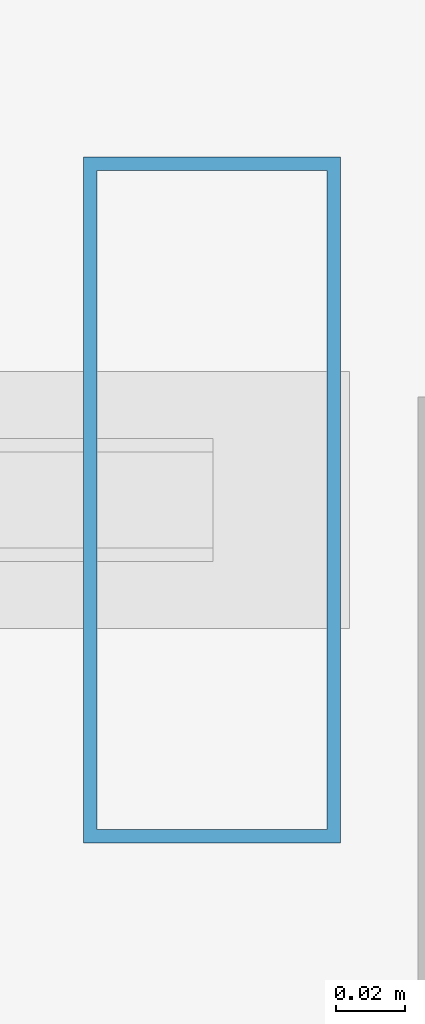
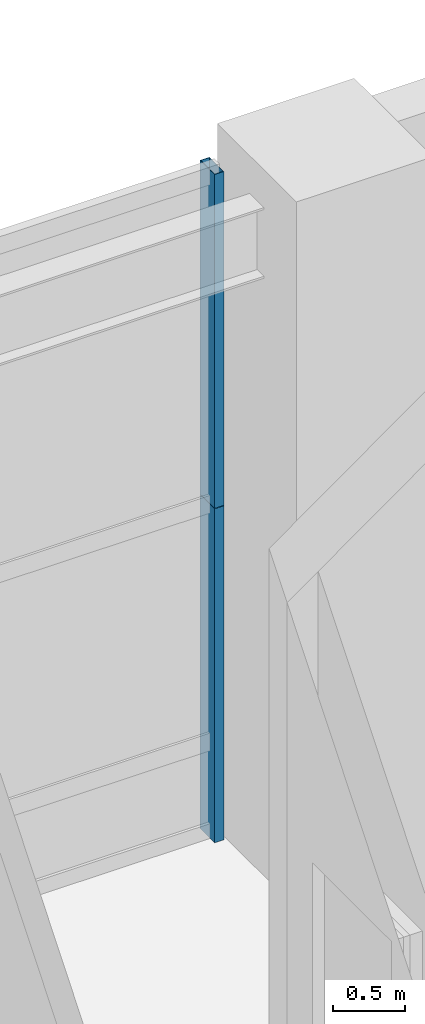
# One storey, part 27 of 39: 2 members, 1 element without a shape of its own.
"""IFC4 building model written with IfcOpenShell, lengths in metres."""

import ifcopenshell
import ifcopenshell.guid

model = None  # the IFC model being written
_history = None  # IfcOwnerHistory: only IFC2X3 demands one
_inside = {}  # id of a spatial element -> (the spatial element, [elements in it])
_under = {}  # id of a project, library or spatial element -> (it, [spatial elements below it])
_declared = {}  # id of a project -> (the project, [libraries it declares])
_typed = {}  # id of a type object -> (the type object, [elements of that type])
_made_of = {}  # id of a material, layer set ... -> (it, [elements and type objects made of it])


def new_model(schema):
    """Start an empty IFC model of exactly this schema.

    Asked for "IFC4X3", IfcOpenShell would pick the latest addendum, in which some entities
    have other attributes; the version numbers below select the first issue.
    IFC2X3 requires an IfcOwnerHistory on every rooted entity: one is made here for all.
    """
    global model, _history
    if schema == "IFC4X3":
        model = ifcopenshell.file(schema_version=(4, 3, 0, 0))
    else:
        model = ifcopenshell.file(schema=schema)
    _inside.clear()
    _under.clear()
    _declared.clear()
    _typed.clear()
    _made_of.clear()
    _history = None
    if model.schema == "IFC2X3":
        org = make("IfcOrganization", Name="unknown")
        user = make(
            "IfcPersonAndOrganization",
            ThePerson=make("IfcPerson", FamilyName="unknown"),
            TheOrganization=org,
        )
        app = make(
            "IfcApplication",
            ApplicationDeveloper=org,
            Version="unknown",
            ApplicationFullName="unknown",
            ApplicationIdentifier="unknown",
        )
        _history = make(
            "IfcOwnerHistory",
            OwningUser=user,
            OwningApplication=app,
            ChangeAction="ADDED",
            CreationDate=0,
        )
    return model


def make(cls, **values):
    """One entity of the class cls with the attributes given. An attribute that is None is left unset."""
    return model.create_entity(
        cls, **{name: value for name, value in values.items() if value is not None}
    )


def rooted(cls, **values):
    """An entity with a GlobalId (a new one), such as an element, a storey or a relation."""
    return make(cls, GlobalId=ifcopenshell.guid.new(), OwnerHistory=_history, **values)


def si_unit(unit_type, name, prefix=None):
    """IfcSIUnit, for example si_unit("LENGTHUNIT", "METRE", prefix="MILLI")."""
    return make("IfcSIUnit", UnitType=unit_type, Prefix=prefix, Name=name)


def assignment(units):
    """IfcUnitAssignment: the units of a project."""
    return None if units is None else make("IfcUnitAssignment", Units=units)


def point(xyz):
    """IfcCartesianPoint."""
    return None if xyz is None else make("IfcCartesianPoint", Coordinates=xyz)


def direction(xyz):
    """IfcDirection."""
    return None if xyz is None else make("IfcDirection", DirectionRatios=xyz)


def frame(location, z_axis=None, x_axis=None):
    """IfcAxis2Placement3D, a coordinate frame: its origin and axes. An axis left out is left unset."""
    return make(
        "IfcAxis2Placement3D",
        Location=point(location),
        Axis=direction(z_axis),
        RefDirection=direction(x_axis),
    )


def frame_2d(location, x_axis=None):
    """IfcAxis2Placement2D, a coordinate frame in the plane: its origin and x axis."""
    return make(
        "IfcAxis2Placement2D", Location=point(location), RefDirection=direction(x_axis)
    )


def origin():
    """The frame at (0, 0, 0) with its axes left unset."""
    return frame((0.0, 0.0, 0.0))


def origin_2d():
    """The frame at (0, 0) in the plane with its x axis left unset."""
    return frame_2d((0.0, 0.0))


def place(relative_to, where):
    """IfcLocalPlacement: puts the frame where relative to a parent placement (None: the world)."""
    return make(
        "IfcLocalPlacement", PlacementRelTo=relative_to, RelativePlacement=where
    )


def context(
    kind, dimensions, precision=None, world=None, true_north=None, identifier=None
):
    """IfcGeometricRepresentationContext, for example the 3D "Model" context."""
    return make(
        "IfcGeometricRepresentationContext",
        ContextIdentifier=identifier,
        ContextType=kind,
        CoordinateSpaceDimension=dimensions,
        Precision=precision,
        WorldCoordinateSystem=world,
        TrueNorth=true_north,
    )


def subcontext(parent, identifier, kind, view, scale=None):
    """IfcGeometricRepresentationSubContext, for example "Body" below "Model"."""
    return make(
        "IfcGeometricRepresentationSubContext",
        ContextIdentifier=identifier,
        ContextType=kind,
        ParentContext=parent,
        TargetScale=scale,
        TargetView=view,
    )


def project(units=None, contexts=None):
    """IfcProject with its units and contexts."""
    return rooted(
        "IfcProject",
        Name="project",
        RepresentationContexts=contexts,
        UnitsInContext=assignment(units),
    )


def spatial(cls, under=None, at=None, **own):
    """A site, building, storey or space (cls), placed at a placement, below another one or the project."""
    s = rooted(cls, ObjectPlacement=at, **own)
    if under is not None:
        _under.setdefault(under.id(), (under, []))[1].append(s)
    return s


def profile(cls, at=None, kind="AREA", **sizes):
    """A parametric profile (cls). Its sizes go by their IFC names, for example OverallWidth=200.0."""
    return make(cls, ProfileType=kind, Position=at, **sizes)


def hollow_rectangle(**sizes):
    """IfcRectangleHollowProfileDef."""
    return profile("IfcRectangleHollowProfileDef", **sizes)


def extrude(swept, where, along, depth):
    """IfcExtrudedAreaSolid: the profile swept, set in the frame where, extruded along a direction by depth."""
    return make(
        "IfcExtrudedAreaSolid",
        SweptArea=swept,
        Position=where,
        ExtrudedDirection=direction(along),
        Depth=depth,
    )


def shape(context_of_items, identifier, shape_type, items):
    """IfcShapeRepresentation: the items that make up one representation, for example the "Body"."""
    return make(
        "IfcShapeRepresentation",
        ContextOfItems=context_of_items,
        RepresentationIdentifier=identifier,
        RepresentationType=shape_type,
        Items=items,
    )


def source(mapping_origin, context_of_items, identifier, shape_type, items):
    """IfcRepresentationMap: a shape defined once, which mapped items show again and again."""
    return make(
        "IfcRepresentationMap",
        MappingOrigin=mapping_origin,
        MappedRepresentation=shape(context_of_items, identifier, shape_type, items),
    )


def transform(
    local_origin,
    x_axis=None,
    y_axis=None,
    z_axis=None,
    scale=None,
    scale2=None,
    scale3=None,
    uniform=True,
):
    """IfcCartesianTransformationOperator3D, or its non-uniform kind. x_axis, y_axis, z_axis: its Axis1, 2, 3."""
    if uniform:
        return make(
            "IfcCartesianTransformationOperator3D",
            Axis1=direction(x_axis),
            Axis2=direction(y_axis),
            LocalOrigin=point(local_origin),
            Scale=scale,
            Axis3=direction(z_axis),
        )
    return make(
        "IfcCartesianTransformationOperator3DnonUniform",
        Axis1=direction(x_axis),
        Axis2=direction(y_axis),
        LocalOrigin=point(local_origin),
        Scale=scale,
        Axis3=direction(z_axis),
        Scale2=scale2,
        Scale3=scale3,
    )


def mapped(mapping_source, mapping_target):
    """IfcMappedItem: shows the shape of a source again, moved by a transform."""
    return make(
        "IfcMappedItem", MappingSource=mapping_source, MappingTarget=mapping_target
    )


def material(Name=None, Category=None):
    """IfcMaterial."""
    return make("IfcMaterial", Name=Name, Category=Category)


def layer(
    of_material, thickness, ventilated=None, Name=None, Category=None, Priority=None
):
    """IfcMaterialLayer: one layer of a wall or slab, of a material (None: an air gap)."""
    return make(
        "IfcMaterialLayer",
        Material=of_material,
        LayerThickness=thickness,
        IsVentilated=ventilated,
        Name=Name,
        Category=Category,
        Priority=Priority,
    )


def layer_set(layers, Name=None):
    """IfcMaterialLayerSet."""
    return make("IfcMaterialLayerSet", MaterialLayers=layers, LayerSetName=Name)


def material_profile(
    of_material, cross_section, Name=None, Category=None, Priority=None
):
    """IfcMaterialProfile: a cross section and its material."""
    return make(
        "IfcMaterialProfile",
        Name=Name,
        Material=of_material,
        Profile=cross_section,
        Priority=Priority,
        Category=Category,
    )


def profile_set(profiles, Name=None, composite=None):
    """IfcMaterialProfileSet."""
    return make(
        "IfcMaterialProfileSet",
        Name=Name,
        MaterialProfiles=profiles,
        CompositeProfile=composite,
    )


def made_of(thing, what):
    """Note that an element or type object is made of a material, layer set ...; save() writes the relation."""
    if what is not None:
        _made_of.setdefault(what.id(), (what, []))[1].append(thing)
    return thing


def type_object(cls, material=None, **own):
    """A type object (cls), such as IfcWallType, which elements share."""
    return made_of(rooted(cls, **own), material)


def element(
    cls,
    number,
    at=None,
    inside=None,
    cuts=None,
    type_object=None,
    material=None,
    context=None,
    identifier="Body",
    shape_type=None,
    held_by="IfcProductDefinitionShape",
    body=None,
    shapes=None,
    **own,
):
    """One element of the class cls, such as IfcWall. Its Tag is "e" and its number.

    at: its placement. inside: the storey or other place that contains it. cuts: it is an
    opening in that element (IfcRelVoidsElement). A single representation is given by context,
    identifier, shape_type and body (its items); several are given by shapes. held_by: the class
    of the entity that holds the representations. save() writes the other relations.
    """
    e = rooted(cls, Tag="e%d" % number, ObjectPlacement=at, **own)
    if body is not None:
        shapes = [shape(context, identifier, shape_type, body)]
    if shapes is not None:
        e.Representation = make(held_by, Representations=shapes)
    if inside is not None:
        _inside.setdefault(inside.id(), (inside, []))[1].append(e)
    if cuts is not None:
        rooted(
            "IfcRelVoidsElement", RelatingBuildingElement=cuts, RelatedOpeningElement=e
        )
    if type_object is not None:
        _typed.setdefault(type_object.id(), (type_object, []))[1].append(e)
    return made_of(e, material)


def aggregate(whole, parts):
    """IfcRelAggregates: a whole, such as a stair, and the parts it consists of."""
    return rooted("IfcRelAggregates", RelatingObject=whole, RelatedObjects=parts)


def save(model, path):
    """Write the relations noted so far, then the file.

    IfcRelAggregates (storeys below a building ...), IfcRelContainedInSpatialStructure (elements
    in a storey), IfcRelDefinesByType, IfcRelAssociatesMaterial and IfcRelDeclares: one each for
    every whole, place, type object, material and project.
    """
    for whole, parts in _under.values():
        aggregate(whole, parts)
    for where, things in _inside.values():
        rooted(
            "IfcRelContainedInSpatialStructure",
            RelatedElements=things,
            RelatingStructure=where,
        )
    for kind, things in _typed.values():
        rooted("IfcRelDefinesByType", RelatedObjects=things, RelatingType=kind)
    for what, things in _made_of.values():
        rooted("IfcRelAssociatesMaterial", RelatedObjects=things, RelatingMaterial=what)
    for by, libraries in _declared.values():
        rooted("IfcRelDeclares", RelatingContext=by, RelatedDefinitions=libraries)
    model.write(path)


model = new_model("IFC4")

# Units and contexts
model_context = context("Model", 3, precision=1e-05, world=origin(), true_north=direction((0.0, 1.0)))
body_context = subcontext(model_context, "Body", "Model", "MODEL_VIEW")
ifc_project = project(units=[si_unit("LENGTHUNIT", "METRE"), si_unit("AREAUNIT", "SQUARE_METRE"), si_unit("VOLUMEUNIT", "CUBIC_METRE"), si_unit("PLANEANGLEUNIT", "RADIAN"), si_unit("MASSUNIT", "GRAM", prefix="KILO"), si_unit("THERMODYNAMICTEMPERATUREUNIT", "KELVIN"), si_unit("POWERUNIT", "WATT")], contexts=[model_context])

# Site, building, storey
site_placement = place(None, origin())
site = spatial("IfcSite", under=ifc_project, at=site_placement, CompositionType="ELEMENT")
building_placement = place(site_placement, origin())
building = spatial("IfcBuilding", under=site, at=building_placement, Name="Yuzanri Waterfront Tower", CompositionType="ELEMENT")
storey_placement = place(building_placement, frame((0.0, 0.0, 19.800048828125)))
storey = spatial("IfcBuildingStorey", under=building, at=storey_placement, Name="L05", CompositionType="ELEMENT", Elevation=19.800048828125)

# Curtain wall, members
ifc_material_1 = material(Name="Anodized Architectural Bronze", Category="metal")
ifc_layer = layer(ifc_material_1, 0.159912109375)
ifc_layer_set = layer_set([ifc_layer], Name="Anodized Architectural Bronze")
curtain_wall_type = type_object("IfcCurtainWallType", Name="Anodized Bronze Podium Waterfront Double-Height Unitized Curtain Wall 8400", PredefinedType="NOTDEFINED", material=ifc_layer_set)
curtain_wall_placement = place(storey_placement, origin())
curtain_wall = element("IfcCurtainWall", 1, at=curtain_wall_placement, inside=storey, type_object=curtain_wall_type, Name="L05 Curtain Wall CW-L05-N2", PredefinedType="NOTDEFINED")
ifc_material_2 = material(Name="Anodized Architectural Bronze", Category="metal")
ifc_material_profile = material_profile(ifc_material_2, hollow_rectangle(XDim=0.074951171875, YDim=0.199951171875, WallThickness=0.00390625, at=origin_2d()), Name="CWM 75x200")
ifc_profile_set = profile_set([ifc_material_profile], Name="Anodized Architectural Bronze")
member_type = type_object("IfcMemberType", Name="Anodized Bronze Primary Curtain-Wall Mullion 75x200", PredefinedType="MULLION", material=ifc_profile_set)
shared_shape = source(origin(), body_context, "Body", "SweptSolid", [
    extrude(hollow_rectangle(XDim=0.074951171875, YDim=0.199951171875, WallThickness=0.00390625, at=origin_2d()), origin(), (0.0, 0.0, 1.0), 2.837890625),
])
member_1_placement = place(storey_placement, frame((57.889892578125, 49.6201171875, 0.0), z_axis=(0.0, 0.0, 1.0), x_axis=(1.0, 0.0, 0.0)))
member_1 = element("IfcMember", 2, at=member_1_placement, type_object=member_type, Name="CW-L05-N2 Lower Mullion 02", PredefinedType="MULLION", context=body_context, shape_type="MappedRepresentation", body=[
    mapped(shared_shape, transform((0.0, 0.0, 0.0), scale=1.0)),
])
member_2_placement = place(storey_placement, frame((57.889892578125, 49.6201171875, 2.842041015625), z_axis=(0.0, 0.0, 1.0), x_axis=(1.0, 0.0, 0.0)))
member_2 = element("IfcMember", 3, at=member_2_placement, type_object=member_type, Name="CW-L05-N2 Upper Mullion 02", PredefinedType="MULLION", context=body_context, shape_type="MappedRepresentation", body=[
    mapped(shared_shape, transform((0.0, 0.0, 0.0), scale=1.0)),
])
aggregate(curtain_wall, [member_1, member_2])

save(model, "model.ifc")
